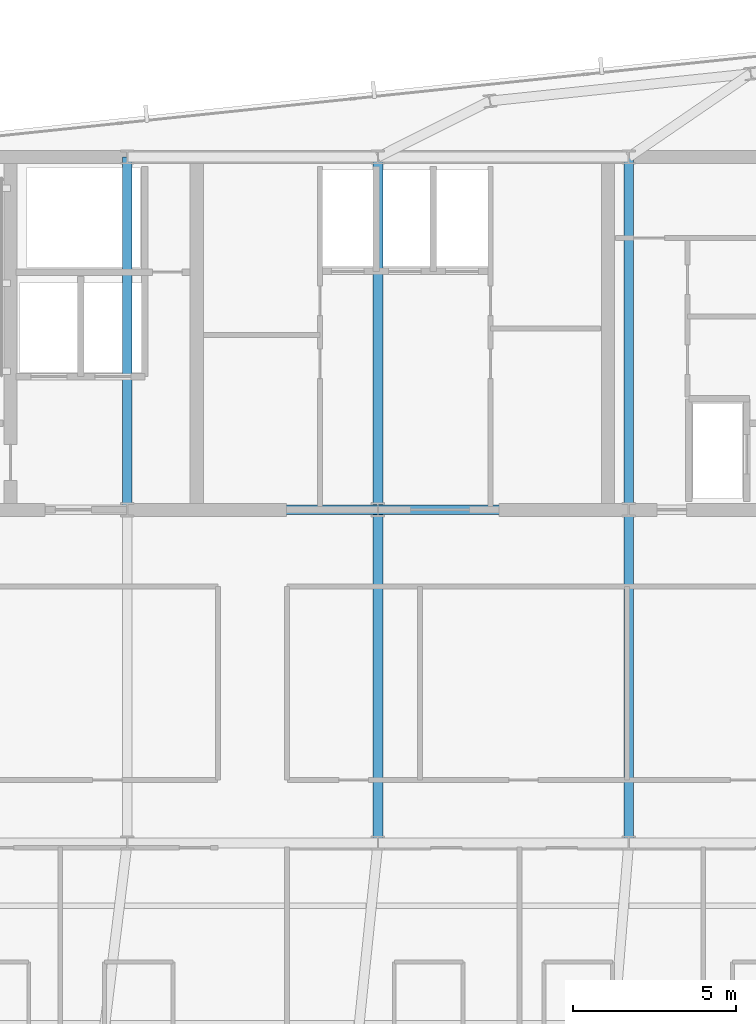
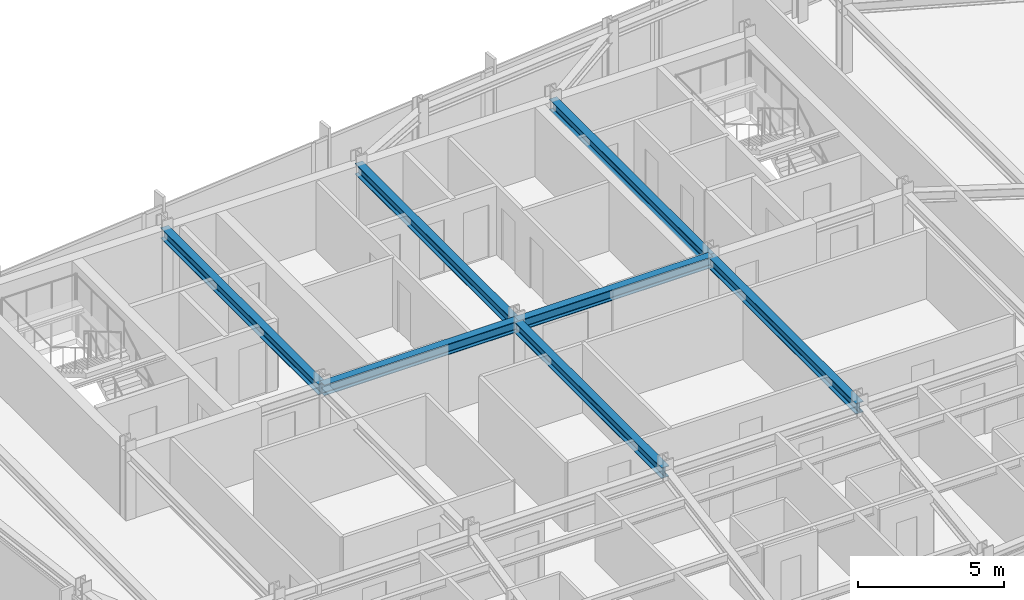
# One storey, part 13 of 33: 7 beams.
"""IFC4 building model written with IfcOpenShell, lengths in metres."""

from ifc_helpers import new_model, si_unit, direction, frame, origin, origin_2d, place, context, subcontext, project, spatial, i_section, extrude, material, material_profile, profile_set, type_object, element, save


model = new_model("IFC4")

# Units and contexts
model_context = context("Model", 3, precision=1e-05, world=origin(), true_north=direction((0.0, 1.0)))
body_context = subcontext(model_context, "Body", "Model", "MODEL_VIEW")
ifc_project = project(units=[si_unit("LENGTHUNIT", "METRE"), si_unit("AREAUNIT", "SQUARE_METRE"), si_unit("VOLUMEUNIT", "CUBIC_METRE"), si_unit("PLANEANGLEUNIT", "RADIAN"), si_unit("MASSUNIT", "GRAM", prefix="KILO")], contexts=[model_context])

# Site, building, storey
site_placement = place(None, origin())
site = spatial("IfcSite", under=ifc_project, at=site_placement, CompositionType="ELEMENT")
building_placement = place(site_placement, origin())
building = spatial("IfcBuilding", under=site, at=building_placement, Name="Yelkora Congress Tower", CompositionType="ELEMENT")
storey_placement = place(building_placement, frame((0.0, 0.0, 244.10009765625)))
storey = spatial("IfcBuildingStorey", under=building, at=storey_placement, Name="L68", CompositionType="ELEMENT", Elevation=244.10009765625)

# Beams
ifc_material = material(Name="Steel S355J2", Category="steel")
ifc_material_profile = material_profile(ifc_material, i_section(OverallWidth=0.300048828125, OverallDepth=0.449951171875, WebThickness=0.013916015625, FlangeThickness=0.02587890625, FilletRadius=0.027099609375, at=origin_2d()), Name="HEB 450")
ifc_profile_set = profile_set([ifc_material_profile], Name="Steel S355J2")
beam_type = type_object("IfcBeamType", Name="BM-GIRD-HEB450", PredefinedType="BEAM", material=ifc_profile_set)
beam_1_placement = place(storey_placement, frame((30.719970703125, 35.39990234375, 2.65478515625), z_axis=(1.0, 0.0, 0.0), x_axis=(0.0, 1.0, 0.0)))
element("IfcBeam", 1, at=beam_1_placement, inside=storey, type_object=beam_type, Name="L68 Core South Girder 2", PredefinedType="BEAM", context=body_context, shape_type="SweptSolid", body=[
    extrude(i_section(OverallWidth=0.300048828125, OverallDepth=0.449951171875, WebThickness=0.013916015625, FlangeThickness=0.02587890625, FilletRadius=0.027099609375, at=origin_2d()), origin(), (0.0, 0.0, 1.0), 7.679931640625),
])
beam_2_placement = place(storey_placement, frame((38.39990234375, 35.39990234375, 2.65478515625), z_axis=(1.0, 0.0, 0.0), x_axis=(0.0, 1.0, 0.0)))
element("IfcBeam", 2, at=beam_2_placement, inside=storey, type_object=beam_type, Name="L68 Core South Girder 3", PredefinedType="BEAM", context=body_context, shape_type="SweptSolid", body=[
    extrude(i_section(OverallWidth=0.300048828125, OverallDepth=0.449951171875, WebThickness=0.013916015625, FlangeThickness=0.02587890625, FilletRadius=0.027099609375, at=origin_2d()), origin(), (0.0, 0.0, 1.0), 7.68017578125),
])
beam_3_placement = place(storey_placement, frame((30.719970703125, 35.39990234375, 2.65478515625), z_axis=(0.0, 1.0, 0.0), x_axis=(-1.0, 0.0, 0.0)))
element("IfcBeam", 3, at=beam_3_placement, inside=storey, type_object=beam_type, Name="L68 Core Tie Girder MC-S2", PredefinedType="BEAM", context=body_context, shape_type="SweptSolid", body=[
    extrude(i_section(OverallWidth=0.300048828125, OverallDepth=0.449951171875, WebThickness=0.013916015625, FlangeThickness=0.02587890625, FilletRadius=0.027099609375, at=origin_2d()), origin(), (0.0, 0.0, 1.0), 10.800048828125),
])
beam_4_placement = place(storey_placement, frame((38.39990234375, 25.199951171875, 2.65478515625), z_axis=(0.0, 1.0, 0.0), x_axis=(-1.0, 0.0, 0.0)))
element("IfcBeam", 4, at=beam_4_placement, inside=storey, type_object=beam_type, Name="L68 Core Tie Girder MC-D3", PredefinedType="BEAM", context=body_context, shape_type="SweptSolid", body=[
    extrude(i_section(OverallWidth=0.300048828125, OverallDepth=0.449951171875, WebThickness=0.013916015625, FlangeThickness=0.02587890625, FilletRadius=0.027099609375, at=origin_2d()), origin(), (0.0, 0.0, 1.0), 10.199951171875),
])
beam_5_placement = place(storey_placement, frame((38.39990234375, 35.39990234375, 2.65478515625), z_axis=(0.0, 1.0, 0.0), x_axis=(-1.0, 0.0, 0.0)))
element("IfcBeam", 5, at=beam_5_placement, inside=storey, type_object=beam_type, Name="L68 Core Tie Girder MC-S3", PredefinedType="BEAM", context=body_context, shape_type="SweptSolid", body=[
    extrude(i_section(OverallWidth=0.300048828125, OverallDepth=0.449951171875, WebThickness=0.013916015625, FlangeThickness=0.02587890625, FilletRadius=0.027099609375, at=origin_2d()), origin(), (0.0, 0.0, 1.0), 10.800048828125),
])
beam_6_placement = place(storey_placement, frame((46.080078125, 25.199951171875, 2.65478515625), z_axis=(0.0, 1.0, 0.0), x_axis=(-1.0, 0.0, 0.0)))
element("IfcBeam", 6, at=beam_6_placement, inside=storey, type_object=beam_type, Name="L68 Core Tie Girder MC-D4", PredefinedType="BEAM", context=body_context, shape_type="SweptSolid", body=[
    extrude(i_section(OverallWidth=0.300048828125, OverallDepth=0.449951171875, WebThickness=0.013916015625, FlangeThickness=0.02587890625, FilletRadius=0.027099609375, at=origin_2d()), origin(), (0.0, 0.0, 1.0), 10.199951171875),
])
beam_7_placement = place(storey_placement, frame((46.080078125, 35.39990234375, 2.65478515625), z_axis=(0.0, 1.0, 0.0), x_axis=(-1.0, 0.0, 0.0)))
element("IfcBeam", 7, at=beam_7_placement, inside=storey, type_object=beam_type, Name="L68 Core Tie Girder MC-S4", PredefinedType="BEAM", context=body_context, shape_type="SweptSolid", body=[
    extrude(i_section(OverallWidth=0.300048828125, OverallDepth=0.449951171875, WebThickness=0.013916015625, FlangeThickness=0.02587890625, FilletRadius=0.027099609375, at=origin_2d()), origin(), (0.0, 0.0, 1.0), 10.800048828125),
])

save(model, "model.ifc")
